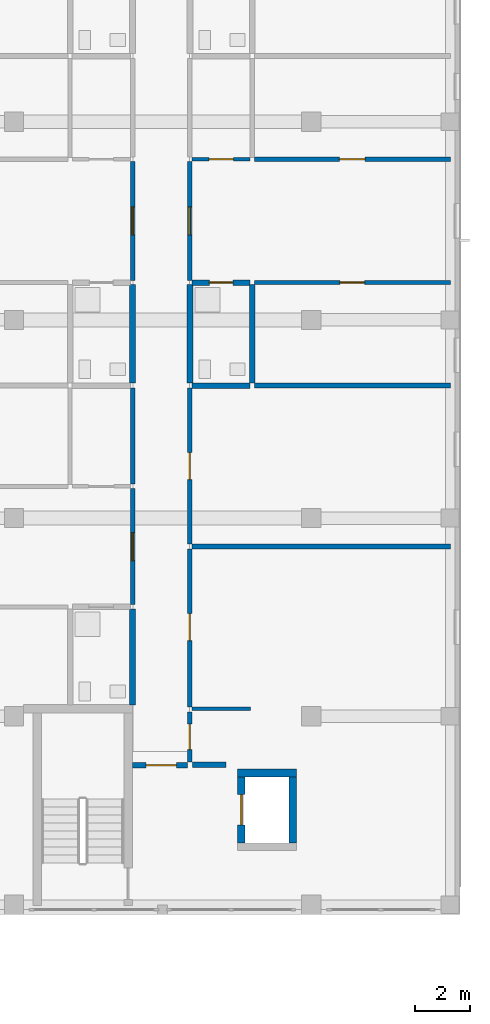
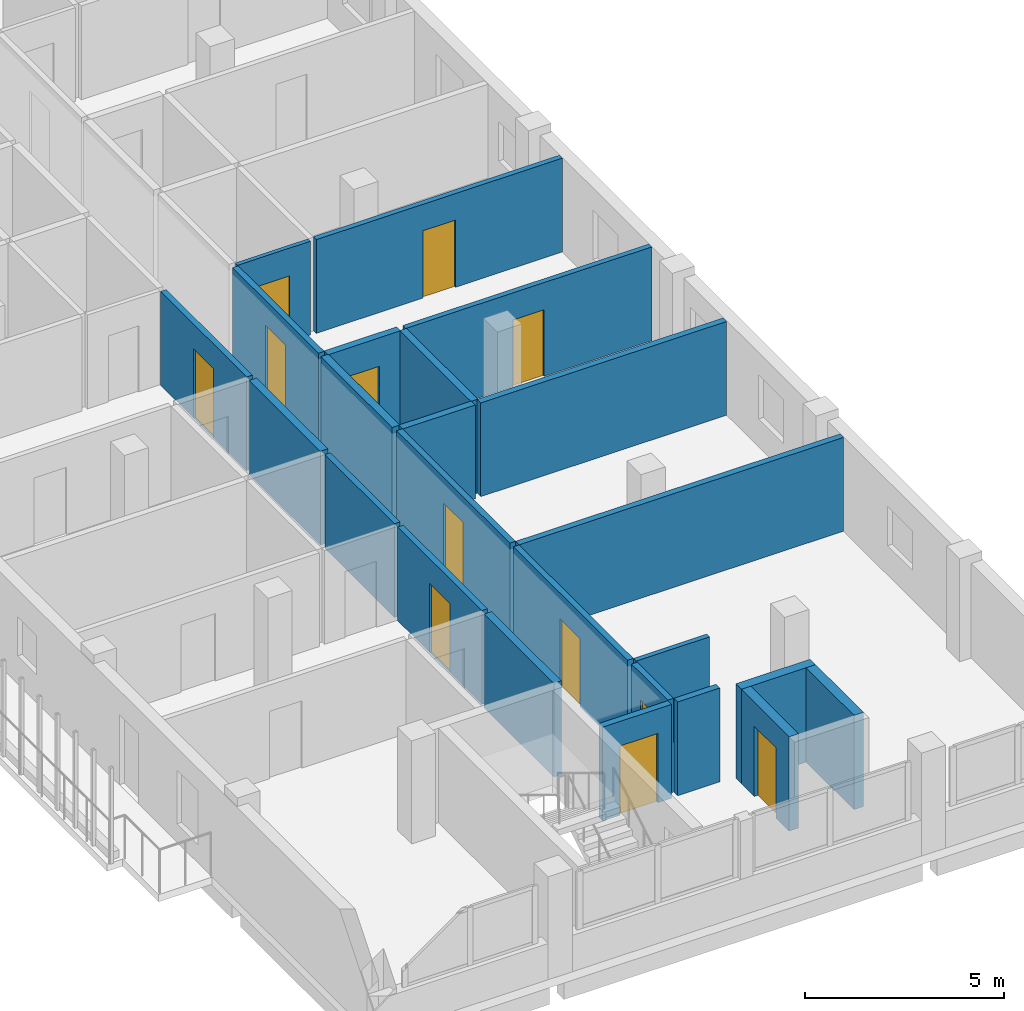
# One storey, part 37 of 56: 24 walls, 12 doors, 12 openings.
"""IFC4 building model written with IfcOpenShell, lengths in metres."""

from ifc_helpers import new_model, si_unit, derived_unit, direction, frame, frame_2d, origin, place, context, subcontext, project, spatial, rectangle, extrude, material, layer, layer_set, type_object, element, fill, save


model = new_model("IFC4")

# Units and contexts
model_context = context("Model", 3, precision=1e-05, world=origin(), true_north=direction((0.0, 1.0)))
body_context = subcontext(model_context, "Body", "Model", "MODEL_VIEW")
ifc_project = project(units=[si_unit("LENGTHUNIT", "METRE"), si_unit("AREAUNIT", "SQUARE_METRE"), si_unit("VOLUMEUNIT", "CUBIC_METRE"), si_unit("PLANEANGLEUNIT", "RADIAN"), si_unit("MASSUNIT", "GRAM", prefix="KILO"), derived_unit("THERMALTRANSMITTANCEUNIT", [(si_unit("MASSUNIT", "GRAM", prefix="KILO"), 1), (si_unit("TIMEUNIT", "SECOND"), -3), (si_unit("THERMODYNAMICTEMPERATUREUNIT", "KELVIN"), -1)])], contexts=[model_context])

# Site, building, storey
site_placement = place(None, origin())
site = spatial("IfcSite", under=ifc_project, at=site_placement, CompositionType="ELEMENT")
building_placement = place(site_placement, origin())
building = spatial("IfcBuilding", under=site, at=building_placement, Name="Ochrekiln Boulevard Commons", CompositionType="ELEMENT")
storey_placement = place(building_placement, frame((0.0, 0.0, 12.074951171875)))
storey = spatial("IfcBuildingStorey", under=building, at=storey_placement, Name="L03", CompositionType="ELEMENT", Elevation=12.074951171875)

# Wall
ifc_material_1 = material(Name="Moisture-resistant cementitious tile backer wall")
ifc_layer_1 = layer(ifc_material_1, 0.199951171875)
ifc_layer_set_1 = layer_set([ifc_layer_1], Name="Moisture-resistant cementitious tile backer wall")
wall_type_1 = type_object("IfcWallType", Name="WL-PLM-200", PredefinedType="PLUMBINGWALL", material=ifc_layer_set_1)
wall_1_placement = place(storey_placement, frame((163.072998046875, 87.615966796875, 0.0), z_axis=(0.0, 0.0, 1.0), x_axis=(1.0, 0.0, 0.0)))
element("IfcWall", 1, at=wall_1_placement, inside=storey, type_object=wall_type_1, Name="L03 Interior Wall W-PW200", PredefinedType="PLUMBINGWALL", context=body_context, shape_type="SweptSolid", body=[
    extrude(rectangle(XDim=2.10693359375, YDim=0.199951171875, at=frame_2d((1.053466796875, 0.0))), origin(), (0.0, 0.0, 1.0), 2.8701171875),
])

# Wall, opening, door
wall_2_placement = place(storey_placement, frame((163.072998046875, 91.360107421875, 0.0), z_axis=(0.0, 0.0, 1.0), x_axis=(1.0, 0.0, 0.0)))
wall_2 = element("IfcWall", 2, at=wall_2_placement, inside=storey, type_object=wall_type_1, Name="L03 Interior Wall W-PW200", PredefinedType="PLUMBINGWALL", context=body_context, shape_type="SweptSolid", body=[
    extrude(rectangle(XDim=2.10693359375, YDim=0.199951171875, at=frame_2d((1.053466796875, 0.0))), origin(), (0.0, 0.0, 1.0), 2.8701171875),
])
opening_1_placement = place(wall_2_placement, frame((0.626953125, 0.0, 0.0)))
opening_1 = element("IfcOpeningElement", 3, at=opening_1_placement, cuts=wall_2, Name="Opening D-L03-494", PredefinedType="OPENING", context=body_context, shape_type="SweptSolid", body=[
    extrude(rectangle(XDim=0.860107421875, YDim=2.0, at=frame_2d((0.43017578125, 1.0))), frame((0.0, 0.10986328125, 0.0), z_axis=(0.0, -1.0, 0.0), x_axis=(1.0, 0.0, 0.0)), (0.0, 0.0, 1.0), 0.219970703125),
])
ifc_material_2 = material(Name="Solid core architectural oak door leaf")
door_type_1 = type_object("IfcDoorType", Name="DR-INT-BTH-086", OperationType="NOTDEFINED", PredefinedType="DOOR", material=ifc_material_2)
door_1_placement = place(opening_1_placement, frame((0.860107421875, 0.0, 0.0), z_axis=(0.0, 0.0, 1.0), x_axis=(-1.0, 0.0, 0.0)))
door_1 = element("IfcDoor", 4, at=door_1_placement, inside=storey, type_object=door_type_1, Name="L03 Interior Door to Apartment Bathroom", OperationType="SINGLE_SWING_RIGHT", OverallHeight=2.0, OverallWidth=0.860107421875, PredefinedType="DOOR", context=body_context, shape_type="SweptSolid", body=[
    extrude(rectangle(XDim=0.860107421875, YDim=2.0, at=frame_2d((0.43017578125, 1.0))), frame((0.0, 0.02490234375, 0.0), z_axis=(0.0, -1.0, 0.0), x_axis=(1.0, 0.0, 0.0)), (0.0, 0.0, 1.0), 0.050048828125),
])
fill(opening_1, door_1)

# Walls
wall_3_placement = place(storey_placement, frame((165.260009765625, 87.7060546875, 0.0), z_axis=(0.0, 0.0, 1.0), x_axis=(0.0, 1.0, 0.0)))
element("IfcWall", 5, at=wall_3_placement, inside=storey, type_object=wall_type_1, Name="L03 Interior Wall W-PW200", PredefinedType="PLUMBINGWALL", context=body_context, shape_type="SweptSolid", body=[
    extrude(rectangle(XDim=3.573974609375, YDim=0.199951171875, at=frame_2d((1.787109375, 0.0))), origin(), (0.0, 0.0, 1.0), 2.8701171875),
])
ifc_layer_2 = layer(ifc_material_1, 0.219970703125)
ifc_layer_set_2 = layer_set([ifc_layer_2], Name="Moisture-resistant cementitious tile backer wall")
wall_type_2 = type_object("IfcWallType", Name="WL-PLM-220", PredefinedType="PLUMBINGWALL", material=ifc_layer_set_2)
wall_4_placement = place(storey_placement, frame((160.909912109375, 76.0, 0.0), z_axis=(0.0, 0.0, 1.0), x_axis=(0.0, 1.0, 0.0)))
element("IfcWall", 6, at=wall_4_placement, inside=storey, type_object=wall_type_2, Name="L03 Interior Wall W-PW220", PredefinedType="PLUMBINGWALL", context=body_context, shape_type="SweptSolid", body=[
    extrude(rectangle(XDim=3.492919921875, YDim=0.219970703125, at=frame_2d((1.74658203125, 0.0))), origin(), (0.0, 0.0, 1.0), 2.8701171875),
])
for number, where, z_axis, x_axis, name in (
    (7, (160.909912109375, 87.7060546875, 0.0), (0.0, 0.0, 1.0), (0.0, 1.0, 0.0), "L03 Interior Wall W-PW220"),
    (8, (162.989990234375, 87.7060546875, 0.0), (0.0, 0.0, 1.0), (0.0, 1.0, 0.0), "L03 Interior Wall W-PW220"),
):
    element("IfcWall", number, at=place(storey_placement, frame(where, z_axis=z_axis, x_axis=x_axis)), inside=storey, type_object=wall_type_2, Name=name, PredefinedType="PLUMBINGWALL", context=body_context, shape_type="SweptSolid", body=[
        extrude(rectangle(XDim=3.573974609375, YDim=0.219970703125, at=frame_2d((1.787109375, 0.0))), origin(), (0.0, 0.0, 1.0), 2.8701171875),
    ])
ifc_material_3 = material(Name="Fire-rated Type X gypsum board on steel studs", Category="steel")
ifc_layer_3 = layer(ifc_material_3, 0.139892578125)
ifc_layer_set_3 = layer_set([ifc_layer_3], Name="Fire-rated Type X gypsum board on steel studs")
wall_type_3 = type_object("IfcWallType", Name="WL-PT-ACO-140", PredefinedType="PARTITIONING", material=ifc_layer_set_3)
wall_5_placement = place(storey_placement, frame((163.072998046875, 75.875, 0.0), z_axis=(0.0, 0.0, 1.0), x_axis=(1.0, 0.0, 0.0)))
element("IfcWall", 9, at=wall_5_placement, inside=storey, type_object=wall_type_3, Name="L03 Interior Wall W-PA140", PredefinedType="PARTITIONING", context=body_context, shape_type="SweptSolid", body=[
    extrude(rectangle(XDim=2.126953125, YDim=0.139892578125, at=frame_2d((1.0634765625, 0.0))), origin(), (0.0, 0.0, 1.0), 2.8701171875),
])

# Wall, opening, door
ifc_layer_4 = layer(ifc_material_3, 0.1650390625)
ifc_layer_set_4 = layer_set([ifc_layer_4], Name="Fire-rated Type X gypsum board on steel studs")
wall_type_4 = type_object("IfcWallType", Name="WL-PT-CORR-165", PredefinedType="PARTITIONING", material=ifc_layer_set_4)
wall_6_placement = place(storey_placement, frame((162.989990234375, 73.929931640625, 0.0), z_axis=(0.0, 0.0, 1.0), x_axis=(0.0, 1.0, 0.0)))
wall_6 = element("IfcWall", 10, at=wall_6_placement, inside=storey, type_object=wall_type_4, Name="L03 Interior Wall W-PC165", PredefinedType="PARTITIONING", context=body_context, shape_type="SweptSolid", body=[
    extrude(rectangle(XDim=1.820068359375, YDim=0.1650390625, at=frame_2d((0.91015625, 0.0))), origin(), (0.0, 0.0, 1.0), 2.8701171875),
])
opening_2_placement = place(wall_6_placement, frame((0.4599609375, 0.0, 0.0)))
opening_2 = element("IfcOpeningElement", 11, at=opening_2_placement, cuts=wall_6, Name="Opening D-L03-474", PredefinedType="OPENING", context=body_context, shape_type="SweptSolid", body=[
    extrude(rectangle(XDim=0.919921875, YDim=2.0400390625, at=frame_2d((0.4599609375, 1.02001953125))), frame((0.0, 0.092529296875, 0.0), z_axis=(0.0, -1.0, 0.0), x_axis=(1.0, 0.0, 0.0)), (0.0, 0.0, 1.0), 0.18505859375),
])
ifc_material_4 = material(Name="Hollow metal fire-rated steel door assembly", Category="steel")
door_type_2 = type_object("IfcDoorType", Name="DR-SRV-90", OperationType="NOTDEFINED", PredefinedType="DOOR", material=ifc_material_4)
door_2_placement = place(opening_2_placement, frame((0.919921875, 0.0, 0.0), z_axis=(0.0, 0.0, 1.0), x_axis=(-1.0, 0.0, 0.0)))
door_2 = element("IfcDoor", 12, at=door_2_placement, inside=storey, type_object=door_type_2, Name="L03 Interior Door to Hydronic and Electrical Riser Room", OperationType="SINGLE_SWING_RIGHT", OverallHeight=2.0400390625, OverallWidth=0.919921875, PredefinedType="DOOR", context=body_context, shape_type="SweptSolid", body=[
    extrude(rectangle(XDim=0.919921875, YDim=2.0400390625, at=frame_2d((0.4599609375, 1.02001953125))), frame((0.0, 0.02490234375, 0.0), z_axis=(0.0, -1.0, 0.0), x_axis=(1.0, 0.0, 0.0)), (0.0, 0.0, 1.0), 0.050048828125),
])
fill(opening_2, door_2)

wall_7_placement = place(storey_placement, frame((160.909912109375, 79.653076171875, 0.0), z_axis=(0.0, 0.0, 1.0), x_axis=(0.0, 1.0, 0.0)))
wall_7 = element("IfcWall", 13, at=wall_7_placement, inside=storey, type_object=wall_type_4, Name="L03 Interior Wall W-PC165", PredefinedType="PARTITIONING", context=body_context, shape_type="SweptSolid", body=[
    extrude(rectangle(XDim=4.219970703125, YDim=0.1650390625, at=frame_2d((2.10986328125, 0.0))), origin(), (0.0, 0.0, 1.0), 2.8701171875),
])
opening_3_placement = place(wall_7_placement, frame((1.60498046875, 0.0, 0.0)))
opening_3 = element("IfcOpeningElement", 14, at=opening_3_placement, cuts=wall_7, Name="Opening D-L03-475", PredefinedType="OPENING", context=body_context, shape_type="SweptSolid", body=[
    extrude(rectangle(XDim=1.010009765625, YDim=2.110107421875, at=frame_2d((0.5048828125, 1.05517578125))), frame((0.0, 0.092529296875, 0.0), z_axis=(0.0, -1.0, 0.0), x_axis=(1.0, 0.0, 0.0)), (0.0, 0.0, 1.0), 0.18505859375),
])
door_type_3 = type_object("IfcDoorType", Name="DR-INT-APT-101", OperationType="NOTDEFINED", PredefinedType="DOOR", material=ifc_material_2)
door_3_placement = place(opening_3_placement, origin())
door_3 = element("IfcDoor", 15, at=door_3_placement, inside=storey, type_object=door_type_3, Name="L03 Interior Door to Two-Bedroom Apartment Living Room", OperationType="SINGLE_SWING_LEFT", OverallHeight=2.110107421875, OverallWidth=1.010009765625, PredefinedType="DOOR", context=body_context, shape_type="SweptSolid", body=[
    extrude(rectangle(XDim=1.010009765625, YDim=2.110107421875, at=frame_2d((0.5048828125, 1.05517578125))), frame((0.0, 0.02490234375, 0.0), z_axis=(0.0, -1.0, 0.0), x_axis=(1.0, 0.0, 0.0)), (0.0, 0.0, 1.0), 0.050048828125),
])
fill(opening_3, door_3)

# Wall
wall_8_placement = place(storey_placement, frame((160.909912109375, 84.032958984375, 0.0), z_axis=(0.0, 0.0, 1.0), x_axis=(0.0, 1.0, 0.0)))
element("IfcWall", 16, at=wall_8_placement, inside=storey, type_object=wall_type_4, Name="L03 Interior Wall W-PC165", PredefinedType="PARTITIONING", context=body_context, shape_type="SweptSolid", body=[
    extrude(rectangle(XDim=3.492919921875, YDim=0.1650390625, at=frame_2d((1.74658203125, 0.0))), origin(), (0.0, 0.0, 1.0), 2.8701171875),
])

# Wall, opening, door
wall_9_placement = place(storey_placement, frame((160.909912109375, 91.43994140625, 0.0), z_axis=(0.0, 0.0, 1.0), x_axis=(0.0, 1.0, 0.0)))
wall_9 = element("IfcWall", 17, at=wall_9_placement, inside=storey, type_object=wall_type_4, Name="L03 Interior Wall W-PC165", PredefinedType="PARTITIONING", context=body_context, shape_type="SweptSolid", body=[
    extrude(rectangle(XDim=4.320068359375, YDim=0.1650390625, at=frame_2d((2.16015625, 0.0))), origin(), (0.0, 0.0, 1.0), 2.8701171875),
])
opening_4_placement = place(wall_9_placement, frame((1.655029296875, 0.0, 0.0)))
opening_4 = element("IfcOpeningElement", 18, at=opening_4_placement, cuts=wall_9, Name="Opening D-L03-476", PredefinedType="OPENING", context=body_context, shape_type="SweptSolid", body=[
    extrude(rectangle(XDim=1.010009765625, YDim=2.110107421875, at=frame_2d((0.5048828125, 1.05517578125))), frame((0.0, 0.092529296875, 0.0), z_axis=(0.0, -1.0, 0.0), x_axis=(1.0, 0.0, 0.0)), (0.0, 0.0, 1.0), 0.18505859375),
])
door_4_placement = place(opening_4_placement, origin())
door_4 = element("IfcDoor", 19, at=door_4_placement, inside=storey, type_object=door_type_3, Name="L03 Interior Door to Two-Bedroom Apartment Living Room", OperationType="SINGLE_SWING_RIGHT", OverallHeight=2.110107421875, OverallWidth=1.010009765625, PredefinedType="DOOR", context=body_context, shape_type="SweptSolid", body=[
    extrude(rectangle(XDim=1.010009765625, YDim=2.110107421875, at=frame_2d((0.5048828125, 1.05517578125))), frame((0.0, 0.02490234375, 0.0), z_axis=(0.0, -1.0, 0.0), x_axis=(1.0, 0.0, 0.0)), (0.0, 0.0, 1.0), 0.050048828125),
])
fill(opening_4, door_4)

wall_10_placement = place(storey_placement, frame((162.989990234375, 75.945068359375, 0.0), z_axis=(0.0, 0.0, 1.0), x_axis=(0.0, 1.0, 0.0)))
wall_10 = element("IfcWall", 20, at=wall_10_placement, inside=storey, type_object=wall_type_4, Name="L03 Interior Wall W-PC165", PredefinedType="PARTITIONING", context=body_context, shape_type="SweptSolid", body=[
    extrude(rectangle(XDim=5.72802734375, YDim=0.1650390625, at=frame_2d((2.864013671875, 0.0))), origin(), (0.0, 0.0, 1.0), 2.8701171875),
])
opening_5_placement = place(wall_10_placement, frame((2.402099609375, 0.0, 0.0)))
opening_5 = element("IfcOpeningElement", 21, at=opening_5_placement, cuts=wall_10, Name="Opening D-L03-478", PredefinedType="OPENING", context=body_context, shape_type="SweptSolid", body=[
    extrude(rectangle(XDim=0.97998046875, YDim=2.080078125, at=frame_2d((0.489990234375, 1.0400390625))), frame((0.0, 0.092529296875, 0.0), z_axis=(0.0, -1.0, 0.0), x_axis=(1.0, 0.0, 0.0)), (0.0, 0.0, 1.0), 0.18505859375),
])
door_type_4 = type_object("IfcDoorType", Name="DR-APT-60", OperationType="NOTDEFINED", PredefinedType="DOOR", material=ifc_material_2)
door_5_placement = place(opening_5_placement, frame((0.97998046875, 0.0, 0.0), z_axis=(0.0, 0.0, 1.0), x_axis=(-1.0, 0.0, 0.0)))
door_5 = element("IfcDoor", 22, at=door_5_placement, inside=storey, type_object=door_type_4, Name="L03 Interior Door to Resident Study Lounge", OperationType="SINGLE_SWING_RIGHT", OverallHeight=2.080078125, OverallWidth=0.97998046875, PredefinedType="DOOR", context=body_context, shape_type="SweptSolid", body=[
    extrude(rectangle(XDim=0.97998046875, YDim=2.080078125, at=frame_2d((0.489990234375, 1.0400390625))), frame((0.0, 0.02490234375, 0.0), z_axis=(0.0, -1.0, 0.0), x_axis=(1.0, 0.0, 0.0)), (0.0, 0.0, 1.0), 0.050048828125),
])
fill(opening_5, door_5)

wall_11_placement = place(storey_placement, frame((162.989990234375, 81.85302734375, 0.0), z_axis=(0.0, 0.0, 1.0), x_axis=(0.0, 1.0, 0.0)))
wall_11 = element("IfcWall", 23, at=wall_11_placement, inside=storey, type_object=wall_type_4, Name="L03 Interior Wall W-PC165", PredefinedType="PARTITIONING", context=body_context, shape_type="SweptSolid", body=[
    extrude(rectangle(XDim=5.6728515625, YDim=0.1650390625, at=frame_2d((2.83642578125, 0.0))), origin(), (0.0, 0.0, 1.0), 2.8701171875),
])
opening_6_placement = place(wall_11_placement, frame((2.346923828125, 0.0, 0.0)))
opening_6 = element("IfcOpeningElement", 24, at=opening_6_placement, cuts=wall_11, Name="Opening D-L03-479", PredefinedType="OPENING", context=body_context, shape_type="SweptSolid", body=[
    extrude(rectangle(XDim=0.97998046875, YDim=2.080078125, at=frame_2d((0.489990234375, 1.0400390625))), frame((0.0, 0.092529296875, 0.0), z_axis=(0.0, -1.0, 0.0), x_axis=(1.0, 0.0, 0.0)), (0.0, 0.0, 1.0), 0.18505859375),
])
door_6_placement = place(opening_6_placement, frame((0.97998046875, 0.0, 0.0), z_axis=(0.0, 0.0, 1.0), x_axis=(-1.0, 0.0, 0.0)))
door_6 = element("IfcDoor", 25, at=door_6_placement, inside=storey, type_object=door_type_4, Name="L03 Interior Door to Resident Reading Library", OperationType="SINGLE_SWING_LEFT", OverallHeight=2.080078125, OverallWidth=0.97998046875, PredefinedType="DOOR", context=body_context, shape_type="SweptSolid", body=[
    extrude(rectangle(XDim=0.97998046875, YDim=2.080078125, at=frame_2d((0.489990234375, 1.0400390625))), frame((0.0, 0.02490234375, 0.0), z_axis=(0.0, -1.0, 0.0), x_axis=(1.0, 0.0, 0.0)), (0.0, 0.0, 1.0), 0.050048828125),
])
fill(opening_6, door_6)

wall_12_placement = place(storey_placement, frame((162.989990234375, 91.43994140625, 0.0), z_axis=(0.0, 0.0, 1.0), x_axis=(0.0, 1.0, 0.0)))
wall_12 = element("IfcWall", 26, at=wall_12_placement, inside=storey, type_object=wall_type_4, Name="L03 Interior Wall W-PC165", PredefinedType="PARTITIONING", context=body_context, shape_type="SweptSolid", body=[
    extrude(rectangle(XDim=4.320068359375, YDim=0.1650390625, at=frame_2d((2.16015625, 0.0))), origin(), (0.0, 0.0, 1.0), 2.8701171875),
])
opening_7_placement = place(wall_12_placement, frame((1.655029296875, 0.0, 0.0)))
opening_7 = element("IfcOpeningElement", 27, at=opening_7_placement, cuts=wall_12, Name="Opening D-L03-480", PredefinedType="OPENING", context=body_context, shape_type="SweptSolid", body=[
    extrude(rectangle(XDim=1.010009765625, YDim=2.110107421875, at=frame_2d((0.5048828125, 1.05517578125))), frame((0.0, 0.092529296875, 0.0), z_axis=(0.0, -1.0, 0.0), x_axis=(1.0, 0.0, 0.0)), (0.0, 0.0, 1.0), 0.18505859375),
])
door_7_placement = place(opening_7_placement, frame((1.010009765625, 0.0, 0.0), z_axis=(0.0, 0.0, 1.0), x_axis=(-1.0, 0.0, 0.0)))
door_7 = element("IfcDoor", 28, at=door_7_placement, inside=storey, type_object=door_type_3, Name="L03 Interior Door to Two-Bedroom Apartment Living Room", OperationType="SINGLE_SWING_RIGHT", OverallHeight=2.110107421875, OverallWidth=1.010009765625, PredefinedType="DOOR", context=body_context, shape_type="SweptSolid", body=[
    extrude(rectangle(XDim=1.010009765625, YDim=2.110107421875, at=frame_2d((0.5048828125, 1.05517578125))), frame((0.0, 0.02490234375, 0.0), z_axis=(0.0, -1.0, 0.0), x_axis=(1.0, 0.0, 0.0)), (0.0, 0.0, 1.0), 0.050048828125),
])
fill(opening_7, door_7)

# Walls
ifc_layer_5 = layer(ifc_material_3, 0.179931640625)
ifc_layer_set_5 = layer_set([ifc_layer_5], Name="Fire-rated Type X gypsum board on steel studs")
wall_type_5 = type_object("IfcWallType", Name="WL-PT-DEM-180", PredefinedType="PARTITIONING", material=ifc_layer_set_5)
wall_13_placement = place(storey_placement, frame((163.072998046875, 81.762939453125, 0.0), z_axis=(0.0, 0.0, 1.0), x_axis=(1.0, 0.0, 0.0)))
element("IfcWall", 29, at=wall_13_placement, inside=storey, type_object=wall_type_5, Name="L03 Interior Wall W-PD180", PredefinedType="PARTITIONING", context=body_context, shape_type="SweptSolid", body=[
    extrude(rectangle(XDim=9.386962890625, YDim=0.179931640625, at=frame_2d((4.693359375, 0.0))), origin(), (0.0, 0.0, 1.0), 2.8701171875),
])
wall_14_placement = place(storey_placement, frame((165.340087890625, 87.615966796875, 0.0), z_axis=(0.0, 0.0, 1.0), x_axis=(1.0, 0.0, 0.0)))
element("IfcWall", 30, at=wall_14_placement, inside=storey, type_object=wall_type_5, Name="L03 Interior Wall W-PD180", PredefinedType="PARTITIONING", context=body_context, shape_type="SweptSolid", body=[
    extrude(rectangle(XDim=7.119873046875, YDim=0.179931640625, at=frame_2d((3.56005859375, 0.0))), origin(), (0.0, 0.0, 1.0), 2.8701171875),
])
ifc_layer_6 = layer(ifc_material_3, 0.18994140625)
ifc_layer_set_6 = layer_set([ifc_layer_6], Name="Fire-rated Type X gypsum board on steel studs")
wall_type_6 = type_object("IfcWallType", Name="WL-PT-LBY-190", PredefinedType="PARTITIONING", material=ifc_layer_set_6)
wall_15_placement = place(storey_placement, frame((163.080078125, 73.8349609375, 0.0), z_axis=(0.0, 0.0, 1.0), x_axis=(1.0, 0.0, 0.0)))
element("IfcWall", 31, at=wall_15_placement, inside=storey, type_object=wall_type_6, Name="L03 Interior Wall W-PL190", PredefinedType="PARTITIONING", context=body_context, shape_type="SweptSolid", body=[
    extrude(rectangle(XDim=1.219970703125, YDim=0.18994140625, at=frame_2d((0.60986328125, 0.0))), origin(), (0.0, 0.0, 1.0), 2.8701171875),
])

# Wall, opening, door
wall_16_placement = place(storey_placement, frame((160.89990234375, 73.820068359375, 0.0), z_axis=(0.0, 0.0, 1.0), x_axis=(1.0, 0.0, 0.0)))
wall_16 = element("IfcWall", 32, at=wall_16_placement, inside=storey, type_object=wall_type_6, Name="L03 Interior Wall W-PL190", PredefinedType="PARTITIONING", context=body_context, shape_type="SweptSolid", body=[
    extrude(rectangle(XDim=2.0, YDim=0.18994140625, at=frame_2d((1.0, 0.0))), origin(), (0.0, 0.0, 1.0), 2.8701171875),
])
opening_8_placement = place(wall_16_placement, frame((0.5, 0.0, 0.0)))
opening_8 = element("IfcOpeningElement", 33, at=opening_8_placement, cuts=wall_16, Name="Opening D-L03-472", PredefinedType="OPENING", context=body_context, shape_type="SweptSolid", body=[
    extrude(rectangle(XDim=1.10009765625, YDim=2.1201171875, at=frame_2d((0.550048828125, 1.06005859375))), frame((0.0, 0.10498046875, 0.0), z_axis=(0.0, -1.0, 0.0), x_axis=(1.0, 0.0, 0.0)), (0.0, 0.0, 1.0), 0.2099609375),
])
door_type_5 = type_object("IfcDoorType", Name="DR-LOBBY-60", OperationType="NOTDEFINED", PredefinedType="DOOR", material=ifc_material_4)
door_8_placement = place(opening_8_placement, frame((1.10009765625, 0.0, 0.0), z_axis=(0.0, 0.0, 1.0), x_axis=(-1.0, 0.0, 0.0)))
door_8 = element("IfcDoor", 34, at=door_8_placement, inside=storey, type_object=door_type_5, Name="L03 Interior Door to Fire Service Access Elevator Lobby", OperationType="SINGLE_SWING_RIGHT", OverallHeight=2.1201171875, OverallWidth=1.10009765625, PredefinedType="DOOR", context=body_context, shape_type="SweptSolid", body=[
    extrude(rectangle(XDim=1.10009765625, YDim=2.1201171875, at=frame_2d((0.550048828125, 1.06005859375))), frame((0.0, 0.02490234375, 0.0), z_axis=(0.0, -1.0, 0.0), x_axis=(1.0, 0.0, 0.0)), (0.0, 0.0, 1.0), 0.050048828125),
])
fill(opening_8, door_8)

ifc_layer_7 = layer(ifc_material_3, 0.1201171875)
ifc_layer_set_7 = layer_set([ifc_layer_7], Name="Fire-rated Type X gypsum board on steel studs")
wall_type_7 = type_object("IfcWallType", Name="WL-PT-LGT-120", PredefinedType="PARTITIONING", material=ifc_layer_set_7)
wall_17_placement = place(storey_placement, frame((163.072998046875, 95.840087890625, 0.0), z_axis=(0.0, 0.0, 1.0), x_axis=(1.0, 0.0, 0.0)))
wall_17 = element("IfcWall", 35, at=wall_17_placement, inside=storey, type_object=wall_type_7, Name="L03 Interior Wall W-PL120", PredefinedType="PARTITIONING", context=body_context, shape_type="SweptSolid", body=[
    extrude(rectangle(XDim=2.10693359375, YDim=0.1201171875, at=frame_2d((1.053466796875, 0.0))), origin(), (0.0, 0.0, 1.0), 2.8701171875),
])
opening_9_placement = place(wall_17_placement, frame((0.616943359375, 0.0, 0.0)))
opening_9 = element("IfcOpeningElement", 36, at=opening_9_placement, cuts=wall_17, Name="Opening D-L03-495", PredefinedType="OPENING", context=body_context, shape_type="SweptSolid", body=[
    extrude(rectangle(XDim=0.8798828125, YDim=2.02001953125, at=frame_2d((0.43994140625, 1.010009765625))), frame((0.0, 0.070068359375, 0.0), z_axis=(0.0, -1.0, 0.0), x_axis=(1.0, 0.0, 0.0)), (0.0, 0.0, 1.0), 0.14013671875),
])
door_type_6 = type_object("IfcDoorType", Name="DR-INT-KIT-088", OperationType="NOTDEFINED", PredefinedType="DOOR", material=ifc_material_2)
door_9_placement = place(opening_9_placement, origin())
door_9 = element("IfcDoor", 37, at=door_9_placement, inside=storey, type_object=door_type_6, Name="L03 Interior Door to Apartment Kitchen", OperationType="SINGLE_SWING_LEFT", OverallHeight=2.02001953125, OverallWidth=0.8798828125, PredefinedType="DOOR", context=body_context, shape_type="SweptSolid", body=[
    extrude(rectangle(XDim=0.8798828125, YDim=2.02001953125, at=frame_2d((0.43994140625, 1.010009765625))), frame((0.0, 0.02490234375, 0.0), z_axis=(0.0, -1.0, 0.0), x_axis=(1.0, 0.0, 0.0)), (0.0, 0.0, 1.0), 0.050048828125),
])
fill(opening_9, door_9)

ifc_layer_8 = layer(ifc_material_3, 0.14990234375)
ifc_layer_set_8 = layer_set([ifc_layer_8], Name="Fire-rated Type X gypsum board on steel studs")
wall_type_8 = type_object("IfcWallType", Name="WL-PT-STD-150", PredefinedType="PARTITIONING", material=ifc_layer_set_8)
wall_18_placement = place(storey_placement, frame((165.340087890625, 91.360107421875, 0.0), z_axis=(0.0, 0.0, 1.0), x_axis=(1.0, 0.0, 0.0)))
wall_18 = element("IfcWall", 38, at=wall_18_placement, inside=storey, type_object=wall_type_8, Name="L03 Interior Wall W-PS150", PredefinedType="PARTITIONING", context=body_context, shape_type="SweptSolid", body=[
    extrude(rectangle(XDim=7.119873046875, YDim=0.14990234375, at=frame_2d((3.56005859375, 0.0))), origin(), (0.0, 0.0, 1.0), 2.8701171875),
])
opening_10_placement = place(wall_18_placement, frame((3.10498046875, 0.0, 0.0)))
opening_10 = element("IfcOpeningElement", 39, at=opening_10_placement, cuts=wall_18, Name="Opening D-L03-496", PredefinedType="OPENING", context=body_context, shape_type="SweptSolid", body=[
    extrude(rectangle(XDim=0.89990234375, YDim=2.0400390625, at=frame_2d((0.449951171875, 1.02001953125))), frame((0.0, 0.0849609375, 0.0), z_axis=(0.0, -1.0, 0.0), x_axis=(1.0, 0.0, 0.0)), (0.0, 0.0, 1.0), 0.169921875),
])
door_type_7 = type_object("IfcDoorType", Name="DR-INT-BED-090", OperationType="NOTDEFINED", PredefinedType="DOOR", material=ifc_material_2)
door_10_placement = place(opening_10_placement, frame((0.89990234375, 0.0, 0.0), z_axis=(0.0, 0.0, 1.0), x_axis=(-1.0, 0.0, 0.0)))
door_10 = element("IfcDoor", 40, at=door_10_placement, inside=storey, type_object=door_type_7, Name="L03 Interior Door to Primary Apartment Bedroom", OperationType="SINGLE_SWING_RIGHT", OverallHeight=2.0400390625, OverallWidth=0.89990234375, PredefinedType="DOOR", context=body_context, shape_type="SweptSolid", body=[
    extrude(rectangle(XDim=0.89990234375, YDim=2.0400390625, at=frame_2d((0.449951171875, 1.02001953125))), frame((0.0, 0.02490234375, 0.0), z_axis=(0.0, -1.0, 0.0), x_axis=(1.0, 0.0, 0.0)), (0.0, 0.0, 1.0), 0.050048828125),
])
fill(opening_10, door_10)

wall_19_placement = place(storey_placement, frame((165.340087890625, 95.840087890625, 0.0), z_axis=(0.0, 0.0, 1.0), x_axis=(1.0, 0.0, 0.0)))
wall_19 = element("IfcWall", 41, at=wall_19_placement, inside=storey, type_object=wall_type_8, Name="L03 Interior Wall W-PS150", PredefinedType="PARTITIONING", context=body_context, shape_type="SweptSolid", body=[
    extrude(rectangle(XDim=7.119873046875, YDim=0.14990234375, at=frame_2d((3.56005859375, 0.0))), origin(), (0.0, 0.0, 1.0), 2.8701171875),
])
opening_11_placement = place(wall_19_placement, frame((3.0849609375, 0.0, 0.0)))
opening_11 = element("IfcOpeningElement", 42, at=opening_11_placement, cuts=wall_19, Name="Opening D-L03-497", PredefinedType="OPENING", context=body_context, shape_type="SweptSolid", body=[
    extrude(rectangle(XDim=0.93994140625, YDim=2.06005859375, at=frame_2d((0.469970703125, 1.030029296875))), frame((0.0, 0.0849609375, 0.0), z_axis=(0.0, -1.0, 0.0), x_axis=(1.0, 0.0, 0.0)), (0.0, 0.0, 1.0), 0.169921875),
])
door_type_8 = type_object("IfcDoorType", Name="DR-INT-BED-094", OperationType="NOTDEFINED", PredefinedType="DOOR", material=ifc_material_2)
door_11_placement = place(opening_11_placement, origin())
door_11 = element("IfcDoor", 43, at=door_11_placement, inside=storey, type_object=door_type_8, Name="L03 Interior Door to Secondary Apartment Bedroom", OperationType="SINGLE_SWING_LEFT", OverallHeight=2.06005859375, OverallWidth=0.93994140625, PredefinedType="DOOR", context=body_context, shape_type="SweptSolid", body=[
    extrude(rectangle(XDim=0.93994140625, YDim=2.06005859375, at=frame_2d((0.469970703125, 1.030029296875))), frame((0.0, 0.02490234375, 0.0), z_axis=(0.0, -1.0, 0.0), x_axis=(1.0, 0.0, 0.0)), (0.0, 0.0, 1.0), 0.050048828125),
])
fill(opening_11, door_11)

# Wall
ifc_material_5 = material(Name="Concrete C40/50", Category="concrete")
ifc_layer_9 = layer(ifc_material_5, 0.27490234375)
ifc_layer_set_9 = layer_set([ifc_layer_9], Name="Concrete C40/50")
wall_type_9 = type_object("IfcWallType", Name="WL-SH-275", PredefinedType="SHEAR", material=ifc_layer_set_9)
wall_20_placement = place(storey_placement, frame((164.72509765625, 73.53759765625, 0.0), z_axis=(0.0, 0.0, 1.0), x_axis=(1.0, 0.0, 0.0)))
element("IfcWall", 44, at=wall_20_placement, inside=storey, type_object=wall_type_9, Name="Elevator FF-B1 L03 Hoistway Shear Wall", PredefinedType="SHEAR", context=body_context, shape_type="SweptSolid", body=[
    extrude(rectangle(XDim=2.14990234375, YDim=0.27490234375, at=frame_2d((1.074951171875, 0.0))), origin(), (0.0, 0.0, 1.0), 2.89013671875),
])

# Wall, opening, door
wall_21_placement = place(storey_placement, frame((164.862548828125, 71.0, 0.0), z_axis=(0.0, 0.0, 1.0), x_axis=(0.0, 1.0, 0.0)))
wall_21 = element("IfcWall", 45, at=wall_21_placement, inside=storey, type_object=wall_type_9, Name="Elevator FF-B1 L03 Hoistway Shear Wall", PredefinedType="SHEAR", context=body_context, shape_type="SweptSolid", body=[
    extrude(rectangle(XDim=2.39990234375, YDim=0.27490234375, at=frame_2d((1.199951171875, 0.0))), origin(), (0.0, 0.0, 1.0), 2.89013671875),
])
opening_12_placement = place(wall_21_placement, frame((0.64990234375, 0.0, 0.0)))
opening_12 = element("IfcOpeningElement", 46, at=opening_12_placement, cuts=wall_21, Name="Opening LD-FF-B1-L03", PredefinedType="OPENING", context=body_context, shape_type="SweptSolid", body=[
    extrude(rectangle(XDim=1.10009765625, YDim=2.14990234375, at=frame_2d((0.550048828125, 1.074951171875))), frame((0.0, 0.1474609375, 0.0), z_axis=(0.0, -1.0, 0.0), x_axis=(1.0, 0.0, 0.0)), (0.0, 0.0, 1.0), 0.294921875),
])
ifc_material_6 = material(Name="Brushed stainless steel 316 elevator cab and doors", Category="steel")
door_type_9 = type_object("IfcDoorType", Name="DR-LIFT-LD90", OperationType="SLIDING_TO_LEFT", PredefinedType="DOOR", material=ifc_material_6)
door_12_placement = place(opening_12_placement, origin())
door_12 = element("IfcDoor", 47, at=door_12_placement, inside=storey, type_object=door_type_9, Name="Elevator FF-B1 L03 Sliding Landing Door LD-FF-B1-L03", OperationType="SLIDING_TO_LEFT", OverallHeight=2.14990234375, OverallWidth=1.10009765625, PredefinedType="DOOR", context=body_context, shape_type="SweptSolid", body=[
    extrude(rectangle(XDim=1.10009765625, YDim=2.14990234375, at=frame_2d((0.550048828125, 1.074951171875))), frame((0.0, 0.02490234375, 0.0), z_axis=(0.0, -1.0, 0.0), x_axis=(1.0, 0.0, 0.0)), (0.0, 0.0, 1.0), 0.050048828125),
])
fill(opening_12, door_12)

# Wall
wall_22_placement = place(storey_placement, frame((166.737548828125, 71.0, 0.0), z_axis=(0.0, 0.0, 1.0), x_axis=(0.0, 1.0, 0.0)))
element("IfcWall", 48, at=wall_22_placement, inside=storey, type_object=wall_type_9, Name="Elevator FF-B1 L03 Hoistway Shear Wall", PredefinedType="SHEAR", context=body_context, shape_type="SweptSolid", body=[
    extrude(rectangle(XDim=2.39990234375, YDim=0.27490234375, at=frame_2d((1.199951171875, 0.0))), origin(), (0.0, 0.0, 1.0), 2.89013671875),
])

save(model, "model.ifc")
